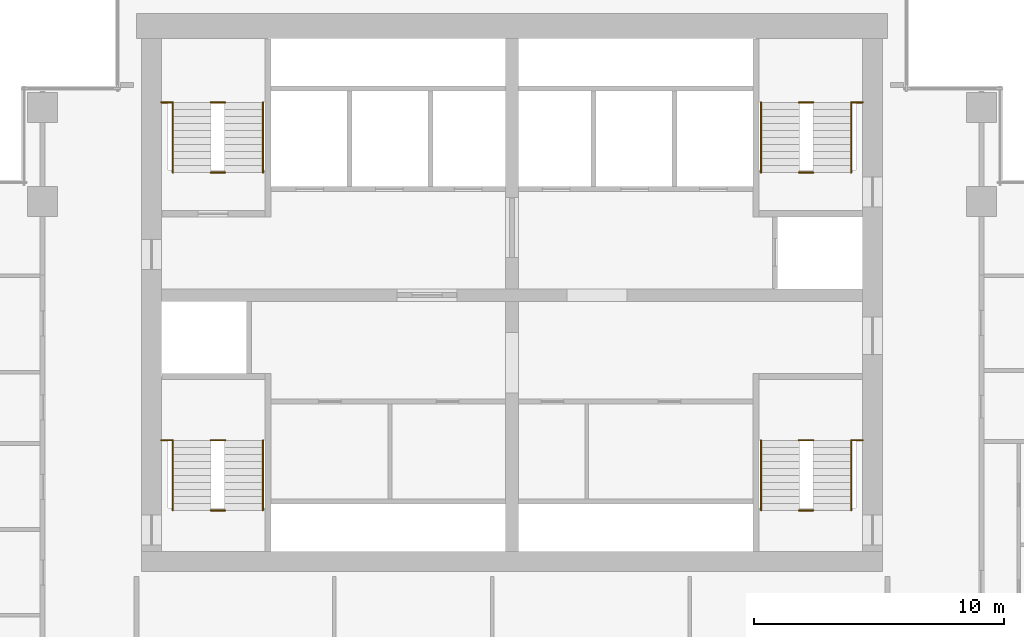
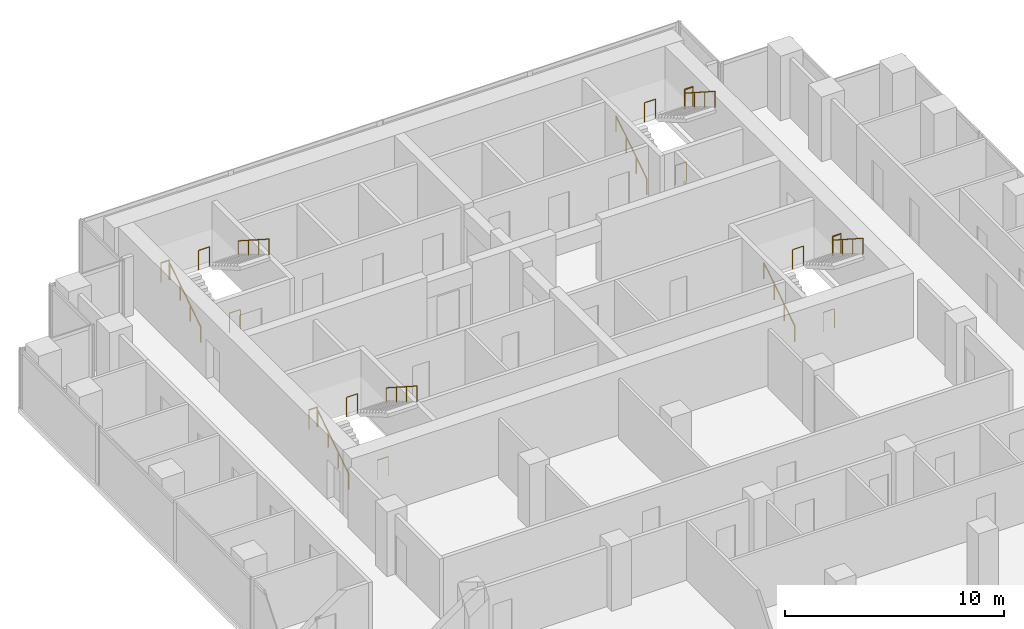
# One storey, part 10 of 10: 20 railings.
"""IFC4 building model written with IfcOpenShell, lengths in metres."""

from ifc_helpers import new_model, si_unit, direction, frame, origin, origin_2d, place, context, subcontext, project, spatial, circle, extrude, material, type_object, element, save


model = new_model("IFC4")

# Units and contexts
model_context = context("Model", 3, precision=1e-05, world=origin(), true_north=direction((0.0, 1.0)))
body_context = subcontext(model_context, "Body", "Model", "MODEL_VIEW")
ifc_project = project(units=[si_unit("LENGTHUNIT", "METRE"), si_unit("AREAUNIT", "SQUARE_METRE"), si_unit("VOLUMEUNIT", "CUBIC_METRE"), si_unit("PLANEANGLEUNIT", "RADIAN"), si_unit("MASSUNIT", "GRAM", prefix="KILO")], contexts=[model_context])

# Site, building, storey
site_placement = place(None, origin())
site = spatial("IfcSite", under=ifc_project, at=site_placement, CompositionType="ELEMENT")
building_placement = place(site_placement, origin())
building = spatial("IfcBuilding", under=site, at=building_placement, Name="Pilkhan Gate Tower", CompositionType="ELEMENT")
storey_placement = place(building_placement, frame((0.0, 0.0, 162.10009765625)))
storey = spatial("IfcBuildingStorey", under=building, at=storey_placement, Name="L41", CompositionType="ELEMENT", Elevation=162.10009765625)

# Railings
ifc_material_1 = material(Name="Black powder-coated steel tube", Category="steel")
railing_type_1 = type_object("IfcRailingType", Name="Stair handrail HR1", PredefinedType="HANDRAIL", material=ifc_material_1)
railing_1_placement = place(storey_placement, frame((84.949951171875, 73.89990234375, 0.0)))
element("IfcRailing", 1, at=railing_1_placement, inside=storey, type_object=railing_type_1, Name="Stair ST1 handrail L41", PredefinedType="HANDRAIL", context=body_context, shape_type="SweptSolid", body=[
    extrude(circle(Radius=0.02392578125, at=origin_2d()), frame((0.0, 0.0, 0.8759765625), z_axis=(0.0, 0.841209454229, 0.540709398952), x_axis=(-1.0, 0.0, 0.0)), (0.0, 0.0, 1.0), 3.32861328125),
    extrude(circle(Radius=0.02099609375, at=origin_2d()), origin(), (0.0, 0.0, 1.0), 0.851806640625),
    extrude(circle(Radius=0.02099609375, at=origin_2d()), frame((0.0, 0.933349609375, 0.599853515625)), (0.0, 0.0, 1.0), 0.851806640625),
    extrude(circle(Radius=0.02099609375, at=origin_2d()), frame((0.0, 1.86669921875, 1.199951171875)), (0.0, 0.0, 1.0), 0.851806640625),
    extrude(circle(Radius=0.02099609375, at=origin_2d()), frame((0.0, 2.800048828125, 1.7998046875)), (0.0, 0.0, 1.0), 0.851806640625),
])
railing_2_placement = place(storey_placement, frame((88.550048828125, 76.699951171875, 1.7998046875)))
element("IfcRailing", 2, at=railing_2_placement, inside=storey, type_object=railing_type_1, Name="Stair ST1 handrail L41", PredefinedType="HANDRAIL", context=body_context, shape_type="SweptSolid", body=[
    extrude(circle(Radius=0.02392578125, at=origin_2d()), frame((0.0, 0.0, 0.8759765625), z_axis=(0.0, -0.841176092368, 0.540761298198), x_axis=(1.0, 0.0, 0.0)), (0.0, 0.0, 1.0), 3.32861328125),
    extrude(circle(Radius=0.02099609375, at=origin_2d()), origin(), (0.0, 0.0, 1.0), 0.851806640625),
    extrude(circle(Radius=0.02099609375, at=origin_2d()), frame((0.0, -0.933349609375, 0.60009765625)), (0.0, 0.0, 1.0), 0.851806640625),
    extrude(circle(Radius=0.02099609375, at=origin_2d()), frame((0.0, -1.86669921875, 1.199951171875)), (0.0, 0.0, 1.0), 0.851806640625),
    extrude(circle(Radius=0.02099609375, at=origin_2d()), frame((0.0, -2.800048828125, 1.800048828125)), (0.0, 0.0, 1.0), 0.851806640625),
])
railing_3_placement = place(storey_placement, frame((61.449951171875, 73.89990234375, 0.0)))
element("IfcRailing", 3, at=railing_3_placement, inside=storey, type_object=railing_type_1, Name="Stair ST2 handrail L41", PredefinedType="HANDRAIL", context=body_context, shape_type="SweptSolid", body=[
    extrude(circle(Radius=0.02392578125, at=origin_2d()), frame((0.0, 0.0, 0.8759765625), z_axis=(0.0, 0.841209454229, 0.540709398952), x_axis=(-1.0, 0.0, 0.0)), (0.0, 0.0, 1.0), 3.32861328125),
    extrude(circle(Radius=0.02099609375, at=origin_2d()), origin(), (0.0, 0.0, 1.0), 0.851806640625),
    extrude(circle(Radius=0.02099609375, at=origin_2d()), frame((0.0, 0.933349609375, 0.599853515625)), (0.0, 0.0, 1.0), 0.851806640625),
    extrude(circle(Radius=0.02099609375, at=origin_2d()), frame((0.0, 1.86669921875, 1.199951171875)), (0.0, 0.0, 1.0), 0.851806640625),
    extrude(circle(Radius=0.02099609375, at=origin_2d()), frame((0.0, 2.800048828125, 1.7998046875)), (0.0, 0.0, 1.0), 0.851806640625),
])
railing_4_placement = place(storey_placement, frame((65.050048828125, 76.699951171875, 1.7998046875)))
element("IfcRailing", 4, at=railing_4_placement, inside=storey, type_object=railing_type_1, Name="Stair ST2 handrail L41", PredefinedType="HANDRAIL", context=body_context, shape_type="SweptSolid", body=[
    extrude(circle(Radius=0.02392578125, at=origin_2d()), frame((0.0, 0.0, 0.8759765625), z_axis=(0.0, -0.841176092368, 0.540761298198), x_axis=(1.0, 0.0, 0.0)), (0.0, 0.0, 1.0), 3.32861328125),
    extrude(circle(Radius=0.02099609375, at=origin_2d()), origin(), (0.0, 0.0, 1.0), 0.851806640625),
    extrude(circle(Radius=0.02099609375, at=origin_2d()), frame((0.0, -0.933349609375, 0.60009765625)), (0.0, 0.0, 1.0), 0.851806640625),
    extrude(circle(Radius=0.02099609375, at=origin_2d()), frame((0.0, -1.86669921875, 1.199951171875)), (0.0, 0.0, 1.0), 0.851806640625),
    extrude(circle(Radius=0.02099609375, at=origin_2d()), frame((0.0, -2.800048828125, 1.800048828125)), (0.0, 0.0, 1.0), 0.851806640625),
])
railing_5_placement = place(storey_placement, frame((61.449951171875, 87.39990234375, 0.0)))
element("IfcRailing", 5, at=railing_5_placement, inside=storey, type_object=railing_type_1, Name="Stair ST3 handrail L41", PredefinedType="HANDRAIL", context=body_context, shape_type="SweptSolid", body=[
    extrude(circle(Radius=0.02392578125, at=origin_2d()), frame((0.0, 0.0, 0.8759765625), z_axis=(0.0, 0.841209454229, 0.540709398952), x_axis=(-1.0, 0.0, 0.0)), (0.0, 0.0, 1.0), 3.32861328125),
    extrude(circle(Radius=0.02099609375, at=origin_2d()), origin(), (0.0, 0.0, 1.0), 0.851806640625),
    extrude(circle(Radius=0.02099609375, at=origin_2d()), frame((0.0, 0.933349609375, 0.599853515625)), (0.0, 0.0, 1.0), 0.851806640625),
    extrude(circle(Radius=0.02099609375, at=origin_2d()), frame((0.0, 1.86669921875, 1.199951171875)), (0.0, 0.0, 1.0), 0.851806640625),
    extrude(circle(Radius=0.02099609375, at=origin_2d()), frame((0.0, 2.800048828125, 1.7998046875)), (0.0, 0.0, 1.0), 0.851806640625),
])
railing_6_placement = place(storey_placement, frame((65.050048828125, 90.199951171875, 1.7998046875)))
element("IfcRailing", 6, at=railing_6_placement, inside=storey, type_object=railing_type_1, Name="Stair ST3 handrail L41", PredefinedType="HANDRAIL", context=body_context, shape_type="SweptSolid", body=[
    extrude(circle(Radius=0.02392578125, at=origin_2d()), frame((0.0, 0.0, 0.8759765625), z_axis=(0.0, -0.841176092368, 0.540761298198), x_axis=(1.0, 0.0, 0.0)), (0.0, 0.0, 1.0), 3.32861328125),
    extrude(circle(Radius=0.02099609375, at=origin_2d()), origin(), (0.0, 0.0, 1.0), 0.851806640625),
    extrude(circle(Radius=0.02099609375, at=origin_2d()), frame((0.0, -0.933349609375, 0.60009765625)), (0.0, 0.0, 1.0), 0.851806640625),
    extrude(circle(Radius=0.02099609375, at=origin_2d()), frame((0.0, -1.86669921875, 1.199951171875)), (0.0, 0.0, 1.0), 0.851806640625),
    extrude(circle(Radius=0.02099609375, at=origin_2d()), frame((0.0, -2.800048828125, 1.800048828125)), (0.0, 0.0, 1.0), 0.851806640625),
])
railing_7_placement = place(storey_placement, frame((84.949951171875, 87.39990234375, 0.0)))
element("IfcRailing", 7, at=railing_7_placement, inside=storey, type_object=railing_type_1, Name="Stair ST4 handrail L41", PredefinedType="HANDRAIL", context=body_context, shape_type="SweptSolid", body=[
    extrude(circle(Radius=0.02392578125, at=origin_2d()), frame((0.0, 0.0, 0.8759765625), z_axis=(0.0, 0.841209454229, 0.540709398952), x_axis=(-1.0, 0.0, 0.0)), (0.0, 0.0, 1.0), 3.32861328125),
    extrude(circle(Radius=0.02099609375, at=origin_2d()), origin(), (0.0, 0.0, 1.0), 0.851806640625),
    extrude(circle(Radius=0.02099609375, at=origin_2d()), frame((0.0, 0.933349609375, 0.599853515625)), (0.0, 0.0, 1.0), 0.851806640625),
    extrude(circle(Radius=0.02099609375, at=origin_2d()), frame((0.0, 1.86669921875, 1.199951171875)), (0.0, 0.0, 1.0), 0.851806640625),
    extrude(circle(Radius=0.02099609375, at=origin_2d()), frame((0.0, 2.800048828125, 1.7998046875)), (0.0, 0.0, 1.0), 0.851806640625),
])
railing_8_placement = place(storey_placement, frame((88.550048828125, 90.199951171875, 1.7998046875)))
element("IfcRailing", 8, at=railing_8_placement, inside=storey, type_object=railing_type_1, Name="Stair ST4 handrail L41", PredefinedType="HANDRAIL", context=body_context, shape_type="SweptSolid", body=[
    extrude(circle(Radius=0.02392578125, at=origin_2d()), frame((0.0, 0.0, 0.8759765625), z_axis=(0.0, -0.841176092368, 0.540761298198), x_axis=(1.0, 0.0, 0.0)), (0.0, 0.0, 1.0), 3.32861328125),
    extrude(circle(Radius=0.02099609375, at=origin_2d()), origin(), (0.0, 0.0, 1.0), 0.851806640625),
    extrude(circle(Radius=0.02099609375, at=origin_2d()), frame((0.0, -0.933349609375, 0.60009765625)), (0.0, 0.0, 1.0), 0.851806640625),
    extrude(circle(Radius=0.02099609375, at=origin_2d()), frame((0.0, -1.86669921875, 1.199951171875)), (0.0, 0.0, 1.0), 0.851806640625),
    extrude(circle(Radius=0.02099609375, at=origin_2d()), frame((0.0, -2.800048828125, 1.800048828125)), (0.0, 0.0, 1.0), 0.851806640625),
])
ifc_material_2 = material(Name="Black powder-coated steel balusters", Category="steel")
railing_type_2 = type_object("IfcRailingType", Name="Stair well guard G3", PredefinedType="GUARDRAIL", material=ifc_material_2)
railing_9_placement = place(storey_placement, frame((88.580078125, 76.699951171875, 1.7998046875)))
element("IfcRailing", 9, at=railing_9_placement, inside=storey, type_object=railing_type_2, Name="Stair ST1 well guard L41", PredefinedType="GUARDRAIL", context=body_context, shape_type="SweptSolid", body=[
    extrude(circle(Radius=0.02392578125, at=origin_2d()), frame((0.0, 0.0, 1.076171875), z_axis=(1.0, 0.0, 0.0), x_axis=(0.0, 1.0, 0.0)), (0.0, 0.0, 1.0), 0.43994140625),
    extrude(circle(Radius=0.02099609375, at=origin_2d()), origin(), (0.0, 0.0, 1.0), 1.052001953125),
    extrude(circle(Radius=0.02099609375, at=origin_2d()), frame((0.43994140625, 0.0, 0.0)), (0.0, 0.0, 1.0), 1.052001953125),
])
for number, where, name in (
    (10, (86.4599609375, 73.89990234375, 0.0), "Stair ST1 well guard L41"),
    (11, (86.4599609375, 76.699951171875, 1.7998046875), "Stair ST1 well guard L41"),
):
    element("IfcRailing", number, at=place(storey_placement, frame(where)), inside=storey, type_object=railing_type_2, Name=name, PredefinedType="GUARDRAIL", context=body_context, shape_type="SweptSolid", body=[
        extrude(circle(Radius=0.02392578125, at=origin_2d()), frame((0.0, 0.0, 1.076171875), z_axis=(1.0, 0.0, 0.0), x_axis=(0.0, 1.0, 0.0)), (0.0, 0.0, 1.0), 0.580078125),
        extrude(circle(Radius=0.02099609375, at=origin_2d()), origin(), (0.0, 0.0, 1.0), 1.052001953125),
        extrude(circle(Radius=0.02099609375, at=origin_2d()), frame((0.580078125, 0.0, 0.0)), (0.0, 0.0, 1.0), 1.052001953125),
    ])
railing_10_placement = place(storey_placement, frame((60.97998046875, 76.699951171875, 1.7998046875)))
element("IfcRailing", 12, at=railing_10_placement, inside=storey, type_object=railing_type_2, Name="Stair ST2 well guard L41", PredefinedType="GUARDRAIL", context=body_context, shape_type="SweptSolid", body=[
    extrude(circle(Radius=0.02392578125, at=origin_2d()), frame((0.0, 0.0, 1.076171875), z_axis=(1.0, 0.0, 0.0), x_axis=(0.0, 1.0, 0.0)), (0.0, 0.0, 1.0), 0.43994140625),
    extrude(circle(Radius=0.02099609375, at=origin_2d()), origin(), (0.0, 0.0, 1.0), 1.052001953125),
    extrude(circle(Radius=0.02099609375, at=origin_2d()), frame((0.43994140625, 0.0, 0.0)), (0.0, 0.0, 1.0), 1.052001953125),
])
for number, where, name in (
    (13, (62.9599609375, 73.89990234375, 0.0), "Stair ST2 well guard L41"),
    (14, (62.9599609375, 76.699951171875, 1.7998046875), "Stair ST2 well guard L41"),
):
    element("IfcRailing", number, at=place(storey_placement, frame(where)), inside=storey, type_object=railing_type_2, Name=name, PredefinedType="GUARDRAIL", context=body_context, shape_type="SweptSolid", body=[
        extrude(circle(Radius=0.02392578125, at=origin_2d()), frame((0.0, 0.0, 1.076171875), z_axis=(1.0, 0.0, 0.0), x_axis=(0.0, 1.0, 0.0)), (0.0, 0.0, 1.0), 0.580078125),
        extrude(circle(Radius=0.02099609375, at=origin_2d()), origin(), (0.0, 0.0, 1.0), 1.052001953125),
        extrude(circle(Radius=0.02099609375, at=origin_2d()), frame((0.580078125, 0.0, 0.0)), (0.0, 0.0, 1.0), 1.052001953125),
    ])
railing_11_placement = place(storey_placement, frame((60.97998046875, 90.199951171875, 1.7998046875)))
element("IfcRailing", 15, at=railing_11_placement, inside=storey, type_object=railing_type_2, Name="Stair ST3 well guard L41", PredefinedType="GUARDRAIL", context=body_context, shape_type="SweptSolid", body=[
    extrude(circle(Radius=0.02392578125, at=origin_2d()), frame((0.0, 0.0, 1.076171875), z_axis=(1.0, 0.0, 0.0), x_axis=(0.0, 1.0, 0.0)), (0.0, 0.0, 1.0), 0.43994140625),
    extrude(circle(Radius=0.02099609375, at=origin_2d()), origin(), (0.0, 0.0, 1.0), 1.052001953125),
    extrude(circle(Radius=0.02099609375, at=origin_2d()), frame((0.43994140625, 0.0, 0.0)), (0.0, 0.0, 1.0), 1.052001953125),
])
for number, where, name in (
    (16, (62.9599609375, 87.39990234375, 0.0), "Stair ST3 well guard L41"),
    (17, (62.9599609375, 90.199951171875, 1.7998046875), "Stair ST3 well guard L41"),
):
    element("IfcRailing", number, at=place(storey_placement, frame(where)), inside=storey, type_object=railing_type_2, Name=name, PredefinedType="GUARDRAIL", context=body_context, shape_type="SweptSolid", body=[
        extrude(circle(Radius=0.02392578125, at=origin_2d()), frame((0.0, 0.0, 1.076171875), z_axis=(1.0, 0.0, 0.0), x_axis=(0.0, 1.0, 0.0)), (0.0, 0.0, 1.0), 0.580078125),
        extrude(circle(Radius=0.02099609375, at=origin_2d()), origin(), (0.0, 0.0, 1.0), 1.052001953125),
        extrude(circle(Radius=0.02099609375, at=origin_2d()), frame((0.580078125, 0.0, 0.0)), (0.0, 0.0, 1.0), 1.052001953125),
    ])
railing_12_placement = place(storey_placement, frame((88.580078125, 90.199951171875, 1.7998046875)))
element("IfcRailing", 18, at=railing_12_placement, inside=storey, type_object=railing_type_2, Name="Stair ST4 well guard L41", PredefinedType="GUARDRAIL", context=body_context, shape_type="SweptSolid", body=[
    extrude(circle(Radius=0.02392578125, at=origin_2d()), frame((0.0, 0.0, 1.076171875), z_axis=(1.0, 0.0, 0.0), x_axis=(0.0, 1.0, 0.0)), (0.0, 0.0, 1.0), 0.43994140625),
    extrude(circle(Radius=0.02099609375, at=origin_2d()), origin(), (0.0, 0.0, 1.0), 1.052001953125),
    extrude(circle(Radius=0.02099609375, at=origin_2d()), frame((0.43994140625, 0.0, 0.0)), (0.0, 0.0, 1.0), 1.052001953125),
])
for number, where, name in (
    (19, (86.4599609375, 87.39990234375, 0.0), "Stair ST4 well guard L41"),
    (20, (86.4599609375, 90.199951171875, 1.7998046875), "Stair ST4 well guard L41"),
):
    element("IfcRailing", number, at=place(storey_placement, frame(where)), inside=storey, type_object=railing_type_2, Name=name, PredefinedType="GUARDRAIL", context=body_context, shape_type="SweptSolid", body=[
        extrude(circle(Radius=0.02392578125, at=origin_2d()), frame((0.0, 0.0, 1.076171875), z_axis=(1.0, 0.0, 0.0), x_axis=(0.0, 1.0, 0.0)), (0.0, 0.0, 1.0), 0.580078125),
        extrude(circle(Radius=0.02099609375, at=origin_2d()), origin(), (0.0, 0.0, 1.0), 1.052001953125),
        extrude(circle(Radius=0.02099609375, at=origin_2d()), frame((0.580078125, 0.0, 0.0)), (0.0, 0.0, 1.0), 1.052001953125),
    ])

save(model, "model.ifc")
